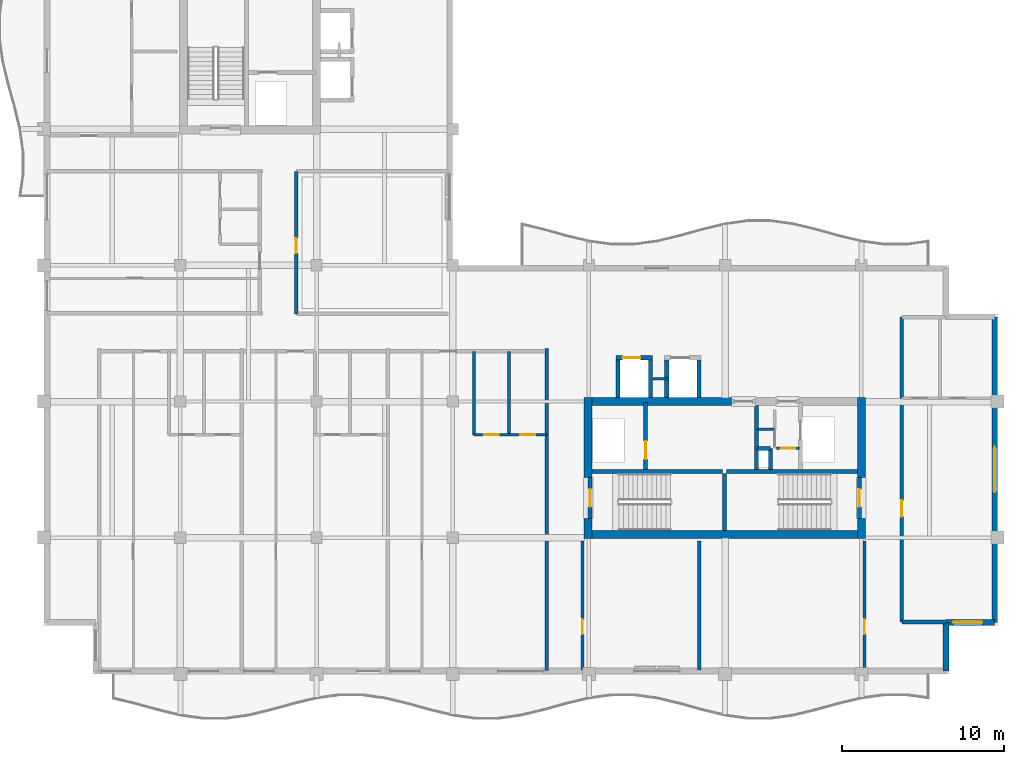
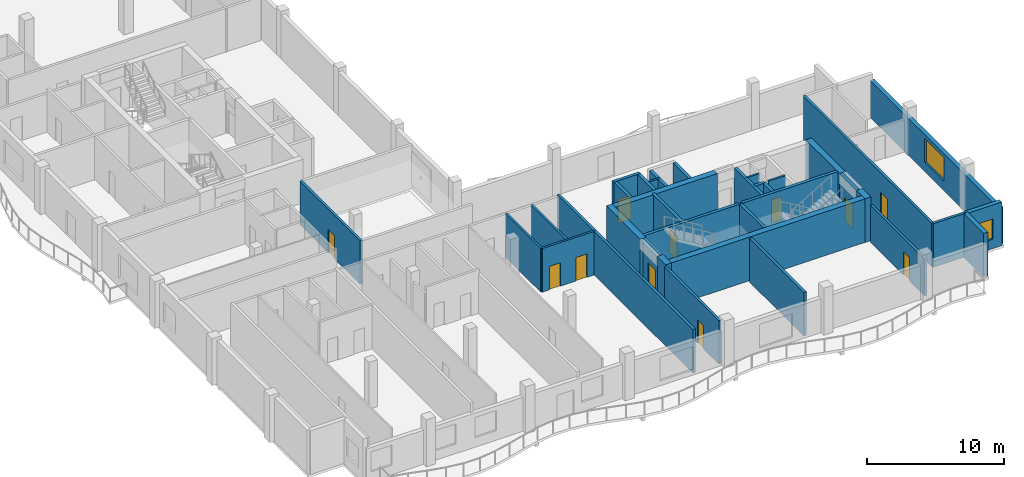
# One storey, part 4 of 11: 36 walls, 11 doors, 2 windows, 13 openings.
"""IFC4 building model written with IfcOpenShell, lengths in metres."""

import ifcopenshell
import ifcopenshell.guid

model = None  # the IFC model being written
_history = None  # IfcOwnerHistory: only IFC2X3 demands one
_inside = {}  # id of a spatial element -> (the spatial element, [elements in it])
_under = {}  # id of a project, library or spatial element -> (it, [spatial elements below it])
_declared = {}  # id of a project -> (the project, [libraries it declares])
_typed = {}  # id of a type object -> (the type object, [elements of that type])
_made_of = {}  # id of a material, layer set ... -> (it, [elements and type objects made of it])


def new_model(schema):
    """Start an empty IFC model of exactly this schema.

    Asked for "IFC4X3", IfcOpenShell would pick the latest addendum, in which some entities
    have other attributes; the version numbers below select the first issue.
    IFC2X3 requires an IfcOwnerHistory on every rooted entity: one is made here for all.
    """
    global model, _history
    if schema == "IFC4X3":
        model = ifcopenshell.file(schema_version=(4, 3, 0, 0))
    else:
        model = ifcopenshell.file(schema=schema)
    _inside.clear()
    _under.clear()
    _declared.clear()
    _typed.clear()
    _made_of.clear()
    _history = None
    if model.schema == "IFC2X3":
        org = make("IfcOrganization", Name="unknown")
        user = make(
            "IfcPersonAndOrganization",
            ThePerson=make("IfcPerson", FamilyName="unknown"),
            TheOrganization=org,
        )
        app = make(
            "IfcApplication",
            ApplicationDeveloper=org,
            Version="unknown",
            ApplicationFullName="unknown",
            ApplicationIdentifier="unknown",
        )
        _history = make(
            "IfcOwnerHistory",
            OwningUser=user,
            OwningApplication=app,
            ChangeAction="ADDED",
            CreationDate=0,
        )
    return model


def make(cls, **values):
    """One entity of the class cls with the attributes given. An attribute that is None is left unset."""
    return model.create_entity(
        cls, **{name: value for name, value in values.items() if value is not None}
    )


def rooted(cls, **values):
    """An entity with a GlobalId (a new one), such as an element, a storey or a relation."""
    return make(cls, GlobalId=ifcopenshell.guid.new(), OwnerHistory=_history, **values)


def si_unit(unit_type, name, prefix=None):
    """IfcSIUnit, for example si_unit("LENGTHUNIT", "METRE", prefix="MILLI")."""
    return make("IfcSIUnit", UnitType=unit_type, Prefix=prefix, Name=name)


def assignment(units):
    """IfcUnitAssignment: the units of a project."""
    return None if units is None else make("IfcUnitAssignment", Units=units)


def point(xyz):
    """IfcCartesianPoint."""
    return None if xyz is None else make("IfcCartesianPoint", Coordinates=xyz)


def direction(xyz):
    """IfcDirection."""
    return None if xyz is None else make("IfcDirection", DirectionRatios=xyz)


def frame(location, z_axis=None, x_axis=None):
    """IfcAxis2Placement3D, a coordinate frame: its origin and axes. An axis left out is left unset."""
    return make(
        "IfcAxis2Placement3D",
        Location=point(location),
        Axis=direction(z_axis),
        RefDirection=direction(x_axis),
    )


def frame_2d(location, x_axis=None):
    """IfcAxis2Placement2D, a coordinate frame in the plane: its origin and x axis."""
    return make(
        "IfcAxis2Placement2D", Location=point(location), RefDirection=direction(x_axis)
    )


def origin():
    """The frame at (0, 0, 0) with its axes left unset."""
    return frame((0.0, 0.0, 0.0))


def place(relative_to, where):
    """IfcLocalPlacement: puts the frame where relative to a parent placement (None: the world)."""
    return make(
        "IfcLocalPlacement", PlacementRelTo=relative_to, RelativePlacement=where
    )


def context(
    kind, dimensions, precision=None, world=None, true_north=None, identifier=None
):
    """IfcGeometricRepresentationContext, for example the 3D "Model" context."""
    return make(
        "IfcGeometricRepresentationContext",
        ContextIdentifier=identifier,
        ContextType=kind,
        CoordinateSpaceDimension=dimensions,
        Precision=precision,
        WorldCoordinateSystem=world,
        TrueNorth=true_north,
    )


def subcontext(parent, identifier, kind, view, scale=None):
    """IfcGeometricRepresentationSubContext, for example "Body" below "Model"."""
    return make(
        "IfcGeometricRepresentationSubContext",
        ContextIdentifier=identifier,
        ContextType=kind,
        ParentContext=parent,
        TargetScale=scale,
        TargetView=view,
    )


def project(units=None, contexts=None):
    """IfcProject with its units and contexts."""
    return rooted(
        "IfcProject",
        Name="project",
        RepresentationContexts=contexts,
        UnitsInContext=assignment(units),
    )


def spatial(cls, under=None, at=None, **own):
    """A site, building, storey or space (cls), placed at a placement, below another one or the project."""
    s = rooted(cls, ObjectPlacement=at, **own)
    if under is not None:
        _under.setdefault(under.id(), (under, []))[1].append(s)
    return s


def profile(cls, at=None, kind="AREA", **sizes):
    """A parametric profile (cls). Its sizes go by their IFC names, for example OverallWidth=200.0."""
    return make(cls, ProfileType=kind, Position=at, **sizes)


def rectangle(**sizes):
    """IfcRectangleProfileDef."""
    return profile("IfcRectangleProfileDef", **sizes)


def extrude(swept, where, along, depth):
    """IfcExtrudedAreaSolid: the profile swept, set in the frame where, extruded along a direction by depth."""
    return make(
        "IfcExtrudedAreaSolid",
        SweptArea=swept,
        Position=where,
        ExtrudedDirection=direction(along),
        Depth=depth,
    )


def shape(context_of_items, identifier, shape_type, items):
    """IfcShapeRepresentation: the items that make up one representation, for example the "Body"."""
    return make(
        "IfcShapeRepresentation",
        ContextOfItems=context_of_items,
        RepresentationIdentifier=identifier,
        RepresentationType=shape_type,
        Items=items,
    )


def material(Name=None, Category=None):
    """IfcMaterial."""
    return make("IfcMaterial", Name=Name, Category=Category)


def layer(
    of_material, thickness, ventilated=None, Name=None, Category=None, Priority=None
):
    """IfcMaterialLayer: one layer of a wall or slab, of a material (None: an air gap)."""
    return make(
        "IfcMaterialLayer",
        Material=of_material,
        LayerThickness=thickness,
        IsVentilated=ventilated,
        Name=Name,
        Category=Category,
        Priority=Priority,
    )


def layer_set(layers, Name=None):
    """IfcMaterialLayerSet."""
    return make("IfcMaterialLayerSet", MaterialLayers=layers, LayerSetName=Name)


def made_of(thing, what):
    """Note that an element or type object is made of a material, layer set ...; save() writes the relation."""
    if what is not None:
        _made_of.setdefault(what.id(), (what, []))[1].append(thing)
    return thing


def type_object(cls, material=None, **own):
    """A type object (cls), such as IfcWallType, which elements share."""
    return made_of(rooted(cls, **own), material)


def element(
    cls,
    number,
    at=None,
    inside=None,
    cuts=None,
    type_object=None,
    material=None,
    context=None,
    identifier="Body",
    shape_type=None,
    held_by="IfcProductDefinitionShape",
    body=None,
    shapes=None,
    **own,
):
    """One element of the class cls, such as IfcWall. Its Tag is "e" and its number.

    at: its placement. inside: the storey or other place that contains it. cuts: it is an
    opening in that element (IfcRelVoidsElement). A single representation is given by context,
    identifier, shape_type and body (its items); several are given by shapes. held_by: the class
    of the entity that holds the representations. save() writes the other relations.
    """
    e = rooted(cls, Tag="e%d" % number, ObjectPlacement=at, **own)
    if body is not None:
        shapes = [shape(context, identifier, shape_type, body)]
    if shapes is not None:
        e.Representation = make(held_by, Representations=shapes)
    if inside is not None:
        _inside.setdefault(inside.id(), (inside, []))[1].append(e)
    if cuts is not None:
        rooted(
            "IfcRelVoidsElement", RelatingBuildingElement=cuts, RelatedOpeningElement=e
        )
    if type_object is not None:
        _typed.setdefault(type_object.id(), (type_object, []))[1].append(e)
    return made_of(e, material)


def fill(opening, filler):
    """IfcRelFillsElement: the door or window that sits in an opening."""
    return rooted(
        "IfcRelFillsElement",
        RelatingOpeningElement=opening,
        RelatedBuildingElement=filler,
    )


def aggregate(whole, parts):
    """IfcRelAggregates: a whole, such as a stair, and the parts it consists of."""
    return rooted("IfcRelAggregates", RelatingObject=whole, RelatedObjects=parts)


def save(model, path):
    """Write the relations noted so far, then the file.

    IfcRelAggregates (storeys below a building ...), IfcRelContainedInSpatialStructure (elements
    in a storey), IfcRelDefinesByType, IfcRelAssociatesMaterial and IfcRelDeclares: one each for
    every whole, place, type object, material and project.
    """
    for whole, parts in _under.values():
        aggregate(whole, parts)
    for where, things in _inside.values():
        rooted(
            "IfcRelContainedInSpatialStructure",
            RelatedElements=things,
            RelatingStructure=where,
        )
    for kind, things in _typed.values():
        rooted("IfcRelDefinesByType", RelatedObjects=things, RelatingType=kind)
    for what, things in _made_of.values():
        rooted("IfcRelAssociatesMaterial", RelatedObjects=things, RelatingMaterial=what)
    for by, libraries in _declared.values():
        rooted("IfcRelDeclares", RelatingContext=by, RelatedDefinitions=libraries)
    model.write(path)


model = new_model("IFC4")

# Units and contexts
model_context = context("Model", 3, precision=1e-05, world=origin(), true_north=direction((0.0, 1.0)))
body_context = subcontext(model_context, "Body", "Model", "MODEL_VIEW")
ifc_project = project(units=[si_unit("LENGTHUNIT", "METRE"), si_unit("AREAUNIT", "SQUARE_METRE"), si_unit("VOLUMEUNIT", "CUBIC_METRE"), si_unit("PLANEANGLEUNIT", "RADIAN"), si_unit("MASSUNIT", "GRAM", prefix="KILO")], contexts=[model_context])

# Site, building, storey
site_placement = place(None, origin())
site = spatial("IfcSite", under=ifc_project, at=site_placement, CompositionType="ELEMENT")
building_placement = place(site_placement, origin())
building = spatial("IfcBuilding", under=site, at=building_placement, Name="Koriwani Terraces Tower", CompositionType="ELEMENT")
storey_placement = place(building_placement, frame((0.0, 0.0, 359.60009765625)))
storey = spatial("IfcBuildingStorey", under=building, at=storey_placement, Name="L89", CompositionType="ELEMENT", Elevation=359.60009765625)

# Walls
ifc_material_1 = material(Name="Concrete C50/60", Category="concrete")
ifc_layer_1 = layer(ifc_material_1, 0.5, Name="Concrete C50/60")
ifc_layer_set_1 = layer_set([ifc_layer_1], Name="Concrete C50/60")
wall_type_1 = type_object("IfcWallType", Name="WALL_CORE_RC_500", PredefinedType="SHEAR", material=ifc_layer_set_1)
wall_1_placement = place(storey_placement, frame((41.949951171875, 16.75, 0.0), z_axis=(0.0, 0.0, 1.0), x_axis=(0.0, 1.0, 0.0)))
element("IfcWall", 1, at=wall_1_placement, inside=storey, type_object=wall_type_1, Name="L89 East Split Core Shear Wall W1", PredefinedType="SHEAR", context=body_context, shape_type="SweptSolid", body=[
    extrude(rectangle(XDim=1.25, YDim=0.5, at=frame_2d((0.625, 0.0))), origin(), (0.0, 0.0, 1.0), 3.89990234375),
])
wall_2_placement = place(storey_placement, frame((41.949951171875, 20.5, 0.0), z_axis=(0.0, 0.0, 1.0), x_axis=(0.0, 1.0, 0.0)))
element("IfcWall", 2, at=wall_2_placement, inside=storey, type_object=wall_type_1, Name="L89 East Split Core Shear Wall W2", PredefinedType="SHEAR", context=body_context, shape_type="SweptSolid", body=[
    extrude(rectangle(XDim=4.949951171875, YDim=0.5, at=frame_2d((2.47509765625, 0.0))), origin(), (0.0, 0.0, 1.0), 3.89990234375),
])
wall_3_placement = place(storey_placement, frame((58.800048828125, 16.75, 0.0), z_axis=(0.0, 0.0, 1.0), x_axis=(0.0, 1.0, 0.0)))
element("IfcWall", 3, at=wall_3_placement, inside=storey, type_object=wall_type_1, Name="L89 East Split Core Shear Wall E1", PredefinedType="SHEAR", context=body_context, shape_type="SweptSolid", body=[
    extrude(rectangle(XDim=1.25, YDim=0.5, at=frame_2d((0.625, 0.0))), origin(), (0.0, 0.0, 1.0), 3.89990234375),
])
wall_4_placement = place(storey_placement, frame((58.800048828125, 20.5, 0.0), z_axis=(0.0, 0.0, 1.0), x_axis=(0.0, 1.0, 0.0)))
element("IfcWall", 4, at=wall_4_placement, inside=storey, type_object=wall_type_1, Name="L89 East Split Core Shear Wall E2", PredefinedType="SHEAR", context=body_context, shape_type="SweptSolid", body=[
    extrude(rectangle(XDim=4.949951171875, YDim=0.5, at=frame_2d((2.47509765625, 0.0))), origin(), (0.0, 0.0, 1.0), 3.89990234375),
])
wall_5_placement = place(storey_placement, frame((42.199951171875, 17.0, 0.0), z_axis=(0.0, 0.0, 1.0), x_axis=(1.0, 0.0, 0.0)))
element("IfcWall", 5, at=wall_5_placement, inside=storey, type_object=wall_type_1, Name="L89 East Split Core Shear Wall S1", PredefinedType="SHEAR", context=body_context, shape_type="SweptSolid", body=[
    extrude(rectangle(XDim=16.35009765625, YDim=0.5, at=frame_2d((8.175048828125, 0.0))), origin(), (0.0, 0.0, 1.0), 3.89990234375),
])
wall_6_placement = place(storey_placement, frame((42.199951171875, 25.199951171875, 0.0), z_axis=(0.0, 0.0, 1.0), x_axis=(1.0, 0.0, 0.0)))
element("IfcWall", 6, at=wall_6_placement, inside=storey, type_object=wall_type_1, Name="L89 East Split Core Shear Wall N1", PredefinedType="SHEAR", context=body_context, shape_type="SweptSolid", body=[
    extrude(rectangle(XDim=8.60009765625, YDim=0.5, at=frame_2d((4.300048828125, 0.0))), origin(), (0.0, 0.0, 1.0), 3.89990234375),
])

# Wall, opening, door
ifc_material_2 = material(Name="Autoclaved Cellular Concrete Blockwork", Category="masonry")
ifc_layer_2 = layer(ifc_material_2, 0.199951171875, Name="Autoclaved Cellular Concrete Blockwork")
ifc_layer_set_2 = layer_set([ifc_layer_2], Name="Autoclaved Cellular Concrete Blockwork")
wall_type_2 = type_object("IfcWallType", Name="WALL_CORRIDOR_200", PredefinedType="PARTITIONING", material=ifc_layer_set_2)
wall_7_placement = place(storey_placement, frame((23.949951171875, 30.60009765625, 0.0), z_axis=(0.0, 0.0, 1.0), x_axis=(0.0, 1.0, 0.0)))
wall_7 = element("IfcWall", 7, at=wall_7_placement, inside=storey, type_object=wall_type_2, Name="L89 Interior Wall WIC4W-L89", PredefinedType="PARTITIONING", context=body_context, shape_type="SweptSolid", body=[
    extrude(rectangle(XDim=8.7998046875, YDim=0.199951171875, at=frame_2d((4.39990234375, 0.0))), origin(), (0.0, 0.0, 1.0), 3.89990234375),
])
opening_1_placement = place(wall_7_placement, frame((3.75, 0.0, 0.0)))
opening_1 = element("IfcOpeningElement", 8, at=opening_1_placement, cuts=wall_7, Name="Opening D-06", PredefinedType="OPENING", context=body_context, shape_type="SweptSolid", body=[
    extrude(rectangle(XDim=0.919921875, YDim=2.10009765625, at=frame_2d((0.4599609375, 1.050048828125))), frame((0.0, 0.10986328125, 0.0), z_axis=(0.0, -1.0, 0.0), x_axis=(1.0, 0.0, 0.0)), (0.0, 0.0, 1.0), 0.219970703125),
])
ifc_material_3 = material(Name="Architectural Oak Fire Door", Category="wood")
door_type_1 = type_object("IfcDoorType", Name="DOOR_ROOM_INT_920X2100", OperationType="NOTDEFINED", PredefinedType="DOOR", material=ifc_material_3)
door_1_placement = place(opening_1_placement, origin())
door_1 = element("IfcDoor", 9, at=door_1_placement, inside=storey, type_object=door_type_1, Name="L89 High-Rise Court Study Door", OperationType="SINGLE_SWING_LEFT", OverallHeight=2.10009765625, OverallWidth=0.919921875, PredefinedType="DOOR", context=body_context, shape_type="SweptSolid", body=[
    extrude(rectangle(XDim=0.919921875, YDim=2.10009765625, at=frame_2d((0.4599609375, 1.050048828125))), frame((0.0, 0.02490234375, 0.0), z_axis=(0.0, -1.0, 0.0), x_axis=(1.0, 0.0, 0.0)), (0.0, 0.0, 1.0), 0.050048828125),
])
fill(opening_1, door_1)

wall_8_placement = place(storey_placement, frame((41.60009765625, 8.64990234375, 0.0), z_axis=(0.0, 0.0, 1.0), x_axis=(0.0, 1.0, 0.0)))
wall_8 = element("IfcWall", 10, at=wall_8_placement, inside=storey, type_object=wall_type_2, Name="L89 Interior Wall WRZ4-EW-L89", PredefinedType="PARTITIONING", context=body_context, shape_type="SweptSolid", body=[
    extrude(rectangle(XDim=7.9501953125, YDim=0.199951171875, at=frame_2d((3.97509765625, 0.0))), origin(), (0.0, 0.0, 1.0), 3.89990234375),
])
opening_2_placement = place(wall_8_placement, frame((2.199951171875, 0.0, 0.0)))
opening_2 = element("IfcOpeningElement", 11, at=opening_2_placement, cuts=wall_8, Name="Opening D-06", PredefinedType="OPENING", context=body_context, shape_type="SweptSolid", body=[
    extrude(rectangle(XDim=0.919921875, YDim=2.10009765625, at=frame_2d((0.4599609375, 1.050048828125))), frame((0.0, 0.10986328125, 0.0), z_axis=(0.0, -1.0, 0.0), x_axis=(1.0, 0.0, 0.0)), (0.0, 0.0, 1.0), 0.219970703125),
])
door_2_placement = place(opening_2_placement, origin())
door_2 = element("IfcDoor", 12, at=door_2_placement, inside=storey, type_object=door_type_1, Name="L89 Resident Library Study Door", OperationType="SINGLE_SWING_RIGHT", OverallHeight=2.10009765625, OverallWidth=0.919921875, PredefinedType="DOOR", context=body_context, shape_type="SweptSolid", body=[
    extrude(rectangle(XDim=0.919921875, YDim=2.10009765625, at=frame_2d((0.4599609375, 1.050048828125))), frame((0.0, 0.02490234375, 0.0), z_axis=(0.0, -1.0, 0.0), x_axis=(1.0, 0.0, 0.0)), (0.0, 0.0, 1.0), 0.050048828125),
])
fill(opening_2, door_2)

wall_9_placement = place(storey_placement, frame((59.0, 8.64990234375, 0.0), z_axis=(0.0, 0.0, 1.0), x_axis=(0.0, 1.0, 0.0)))
wall_9 = element("IfcWall", 13, at=wall_9_placement, inside=storey, type_object=wall_type_2, Name="L89 Interior Wall WRZ4-EE-L89", PredefinedType="PARTITIONING", context=body_context, shape_type="SweptSolid", body=[
    extrude(rectangle(XDim=7.9501953125, YDim=0.199951171875, at=frame_2d((3.97509765625, 0.0))), origin(), (0.0, 0.0, 1.0), 3.2998046875),
])
opening_3_placement = place(wall_9_placement, frame((2.199951171875, 0.0, 0.0)))
opening_3 = element("IfcOpeningElement", 14, at=opening_3_placement, cuts=wall_9, Name="Opening D-06", PredefinedType="OPENING", context=body_context, shape_type="SweptSolid", body=[
    extrude(rectangle(XDim=0.919921875, YDim=2.10009765625, at=frame_2d((0.4599609375, 1.050048828125))), frame((0.0, 0.10986328125, 0.0), z_axis=(0.0, -1.0, 0.0), x_axis=(1.0, 0.0, 0.0)), (0.0, 0.0, 1.0), 0.219970703125),
])
door_3_placement = place(opening_3_placement, origin())
door_3 = element("IfcDoor", 15, at=door_3_placement, inside=storey, type_object=door_type_1, Name="L89 Resident Laundry Room Door", OperationType="SINGLE_SWING_LEFT", OverallHeight=2.10009765625, OverallWidth=0.919921875, PredefinedType="DOOR", context=body_context, shape_type="SweptSolid", body=[
    extrude(rectangle(XDim=0.919921875, YDim=2.10009765625, at=frame_2d((0.4599609375, 1.050048828125))), frame((0.0, 0.02490234375, 0.0), z_axis=(0.0, -1.0, 0.0), x_axis=(1.0, 0.0, 0.0)), (0.0, 0.0, 1.0), 0.050048828125),
])
fill(opening_3, door_3)

wall_10_placement = place(storey_placement, frame((61.300048828125, 11.60009765625, 0.0), z_axis=(0.0, 0.0, 1.0), x_axis=(0.0, 1.0, 0.0)))
wall_10 = element("IfcWall", 16, at=wall_10_placement, inside=storey, type_object=wall_type_2, Name="L89 Interior Wall WET-W-L89", PredefinedType="PARTITIONING", context=body_context, shape_type="SweptSolid", body=[
    extrude(rectangle(XDim=18.7998046875, YDim=0.199951171875, at=frame_2d((9.39990234375, 0.0))), origin(), (0.0, 0.0, 1.0), 3.89990234375),
])
opening_4_placement = place(wall_10_placement, frame((6.5, 0.0, 0.0)))
opening_4 = element("IfcOpeningElement", 17, at=opening_4_placement, cuts=wall_10, Name="Opening D-05", PredefinedType="OPENING", context=body_context, shape_type="SweptSolid", body=[
    extrude(rectangle(XDim=1.0, YDim=2.14990234375, at=frame_2d((0.5, 1.074951171875))), frame((0.0, 0.10986328125, 0.0), z_axis=(0.0, -1.0, 0.0), x_axis=(1.0, 0.0, 0.0)), (0.0, 0.0, 1.0), 0.219970703125),
])
door_type_2 = type_object("IfcDoorType", Name="DOOR_SUITE_ENTRY_1000X2150", OperationType="NOTDEFINED", PredefinedType="DOOR", material=ifc_material_3)
door_4_placement = place(opening_4_placement, origin())
door_4 = element("IfcDoor", 18, at=door_4_placement, inside=storey, type_object=door_type_2, Name="Penthouse 89ET Entrance Door", OperationType="SINGLE_SWING_RIGHT", OverallHeight=2.14990234375, OverallWidth=1.0, PredefinedType="DOOR", context=body_context, shape_type="SweptSolid", body=[
    extrude(rectangle(XDim=1.0, YDim=2.14990234375, at=frame_2d((0.5, 1.074951171875))), frame((0.0, 0.02490234375, 0.0), z_axis=(0.0, -1.0, 0.0), x_axis=(1.0, 0.0, 0.0)), (0.0, 0.0, 1.0), 0.050048828125),
])
fill(opening_4, door_4)

# Walls
ifc_layer_3 = layer(ifc_material_2, 0.219970703125, Name="Autoclaved Cellular Concrete Blockwork")
ifc_layer_set_3 = layer_set([ifc_layer_3], Name="Autoclaved Cellular Concrete Blockwork")
wall_type_3 = type_object("IfcWallType", Name="WALL_DEMISING_220", PredefinedType="PARTITIONING", material=ifc_layer_set_3)
wall_11_placement = place(storey_placement, frame((48.800048828125, 8.64990234375, 0.0), z_axis=(0.0, 0.0, 1.0), x_axis=(0.0, 1.0, 0.0)))
element("IfcWall", 19, at=wall_11_placement, inside=storey, type_object=wall_type_3, Name="L89 Interior Wall WRZ4-EM-L89", PredefinedType="PARTITIONING", context=body_context, shape_type="SweptSolid", body=[
    extrude(rectangle(XDim=7.9501953125, YDim=0.219970703125, at=frame_2d((3.97509765625, 0.0))), origin(), (0.0, 0.0, 1.0), 3.89990234375),
])
wall_12_placement = place(storey_placement, frame((39.39990234375, 8.60009765625, 0.0), z_axis=(0.0, 0.0, 1.0), x_axis=(0.0, 1.0, 0.0)))
element("IfcWall", 20, at=wall_12_placement, inside=storey, type_object=wall_type_3, Name="L89 Interior Wall WRDEME-L89-SW", PredefinedType="PARTITIONING", context=body_context, shape_type="SweptSolid", body=[
    extrude(rectangle(XDim=19.8798828125, YDim=0.219970703125, at=frame_2d((9.93994140625, 0.0))), origin(), (0.0, 0.0, 1.0), 3.89990234375),
])
wall_13_placement = place(storey_placement, frame((61.300048828125, 11.60009765625, 0.0), z_axis=(0.0, 0.0, 1.0), x_axis=(1.0, 0.0, 0.0)))
element("IfcWall", 21, at=wall_13_placement, inside=storey, type_object=wall_type_3, Name="L89 Interior Wall WET-S-L89", PredefinedType="PARTITIONING", context=body_context, shape_type="SweptSolid", body=[
    extrude(rectangle(XDim=2.699951171875, YDim=0.219970703125, at=frame_2d((1.35009765625, 0.0))), origin(), (0.0, 0.0, 1.0), 3.89990234375),
])

# Wall, opening, window
ifc_layer_4 = layer(ifc_material_1, 0.35009765625, Name="Concrete C50/60")
ifc_layer_set_4 = layer_set([ifc_layer_4], Name="Concrete C50/60")
wall_type_4 = type_object("IfcWallType", Name="WALL_EXT_BRUTALIST_350", PredefinedType="STANDARD", material=ifc_layer_set_4)
wall_14_placement = place(storey_placement, frame((67.02490234375, 30.425048828125, 0.0), z_axis=(0.0, 0.0, 1.0), x_axis=(0.0, -1.0, 0.0)))
wall_14 = element("IfcWall", 22, at=wall_14_placement, inside=storey, type_object=wall_type_4, Name="L89 Fair-Faced Brutalist Exterior Wall (E_TIP)", PredefinedType="STANDARD", context=body_context, shape_type="SweptSolid", body=[
    extrude(rectangle(XDim=18.85009765625, YDim=0.35009765625, at=frame_2d((9.425048828125, 0.0))), origin(), (0.0, 0.0, 1.0), 3.2998046875),
])
opening_5_placement = place(wall_14_placement, frame((8.02490234375, 0.0, 0.85009765625)))
opening_5 = element("IfcOpeningElement", 23, at=opening_5_placement, cuts=wall_14, Name="Opening W-05", PredefinedType="OPENING", context=body_context, shape_type="SweptSolid", body=[
    extrude(rectangle(XDim=2.800048828125, YDim=2.10009765625, at=frame_2d((1.39990234375, 1.050048828125))), frame((0.0, 0.18505859375, 0.0), z_axis=(0.0, -1.0, 0.0), x_axis=(1.0, 0.0, 0.0)), (0.0, 0.0, 1.0), 0.3701171875),
])
ifc_material_4 = material(Name="Tempered Laminated Low-E Glass", Category="glass")
window_type_1 = type_object("IfcWindowType", Name="WIN_PENTHOUSE_2800X2100", PartitioningType="TRIPLE_PANEL_VERTICAL", PredefinedType="WINDOW", material=ifc_material_4)
window_1_placement = place(opening_5_placement, origin())
window_1 = element("IfcWindow", 24, at=window_1_placement, inside=storey, type_object=window_type_1, Name="L89 Exterior Window (E_TIP-3)", OverallHeight=2.10009765625, OverallWidth=2.800048828125, PartitioningType="SINGLE_PANEL", PredefinedType="WINDOW", context=body_context, shape_type="SweptSolid", body=[
    extrude(rectangle(XDim=2.800048828125, YDim=2.10009765625, at=frame_2d((1.39990234375, 1.050048828125))), frame((0.0, 0.030029296875, 0.0), z_axis=(0.0, -1.0, 0.0), x_axis=(1.0, 0.0, 0.0)), (0.0, 0.0, 1.0), 0.06005859375),
])
fill(opening_5, window_1)

wall_15_placement = place(storey_placement, frame((67.02490234375, 11.574951171875, 0.0), z_axis=(0.0, 0.0, 1.0), x_axis=(-1.0, 0.0, 0.0)))
wall_15 = element("IfcWall", 25, at=wall_15_placement, inside=storey, type_object=wall_type_4, Name="L89 Fair-Faced Brutalist Exterior Wall (N13)", PredefinedType="STANDARD", context=body_context, shape_type="SweptSolid", body=[
    extrude(rectangle(XDim=3.0, YDim=0.35009765625, at=frame_2d((1.5, 0.0))), origin(), (0.0, 0.0, 1.0), 3.89990234375),
])
opening_6_placement = place(wall_15_placement, frame((0.762451171875, 0.0, 0.85009765625)))
opening_6 = element("IfcOpeningElement", 26, at=opening_6_placement, cuts=wall_15, Name="Opening W-04", PredefinedType="OPENING", context=body_context, shape_type="SweptSolid", body=[
    extrude(rectangle(XDim=1.800048828125, YDim=1.800048828125, at=frame_2d((0.89990234375, 0.89990234375))), frame((0.0, 0.18505859375, 0.0), z_axis=(0.0, -1.0, 0.0), x_axis=(1.0, 0.0, 0.0)), (0.0, 0.0, 1.0), 0.3701171875),
])
window_type_2 = type_object("IfcWindowType", Name="WIN_RES_BED_1800X1800", PartitioningType="DOUBLE_PANEL_VERTICAL", PredefinedType="WINDOW", material=ifc_material_4)
window_2_placement = place(opening_6_placement, origin())
window_2 = element("IfcWindow", 27, at=window_2_placement, inside=storey, type_object=window_type_2, Name="L89 Exterior Window (N13-R53)", OverallHeight=1.800048828125, OverallWidth=1.800048828125, PartitioningType="SINGLE_PANEL", PredefinedType="WINDOW", context=body_context, shape_type="SweptSolid", body=[
    extrude(rectangle(XDim=1.800048828125, YDim=1.800048828125, at=frame_2d((0.89990234375, 0.89990234375))), frame((0.0, 0.030029296875, 0.0), z_axis=(0.0, -1.0, 0.0), x_axis=(1.0, 0.0, 0.0)), (0.0, 0.0, 1.0), 0.06005859375),
])
fill(opening_6, window_2)

# Wall
wall_16_placement = place(storey_placement, frame((64.02490234375, 11.574951171875, 0.0), z_axis=(0.0, 0.0, 1.0), x_axis=(0.0, -1.0, 0.0)))
element("IfcWall", 28, at=wall_16_placement, inside=storey, type_object=wall_type_4, Name="L89 Fair-Faced Brutalist Exterior Wall (N14)", PredefinedType="STANDARD", context=body_context, shape_type="SweptSolid", body=[
    extrude(rectangle(XDim=3.0, YDim=0.35009765625, at=frame_2d((1.5, 0.0))), origin(), (0.0, 0.0, 1.0), 3.89990234375),
])

# Wall, openings, doors
ifc_material_5 = material(Name="Fire-Rated Acoustic Gypsum Partition", Category="masonry")
ifc_layer_5 = layer(ifc_material_5, 0.179931640625, Name="Fire-Rated Acoustic Gypsum Partition")
ifc_layer_set_5 = layer_set([ifc_layer_5], Name="Fire-Rated Acoustic Gypsum Partition")
wall_type_5 = type_object("IfcWallType", Name="WALL_PLUMBING_180", PredefinedType="PLUMBINGWALL", material=ifc_layer_set_5)
wall_17_placement = place(storey_placement, frame((34.89990234375, 23.14990234375, 0.0), z_axis=(0.0, 0.0, 1.0), x_axis=(1.0, 0.0, 0.0)))
wall_17 = element("IfcWall", 29, at=wall_17_placement, inside=storey, type_object=wall_type_5, Name="L89 Interior Wall WRSVC-L89-SW-2", PredefinedType="PLUMBINGWALL", context=body_context, shape_type="SweptSolid", body=[
    extrude(rectangle(XDim=4.5, YDim=0.179931640625, at=frame_2d((2.25, 0.0))), origin(), (0.0, 0.0, 1.0), 3.89990234375),
])
opening_7_placement = place(wall_17_placement, frame((0.6298828125, 0.0, 0.0)))
opening_7 = element("IfcOpeningElement", 30, at=opening_7_placement, cuts=wall_17, Name="Opening D-07", PredefinedType="OPENING", context=body_context, shape_type="SweptSolid", body=[
    extrude(rectangle(XDim=0.89990234375, YDim=2.10009765625, at=frame_2d((0.449951171875, 1.050048828125))), frame((0.0, 0.10009765625, 0.0), z_axis=(0.0, -1.0, 0.0), x_axis=(1.0, 0.0, 0.0)), (0.0, 0.0, 1.0), 0.199951171875),
])
opening_8_placement = place(wall_17_placement, frame((2.8701171875, 0.0, 0.0)))
opening_8 = element("IfcOpeningElement", 31, at=opening_8_placement, cuts=wall_17, Name="Opening D-06", PredefinedType="OPENING", context=body_context, shape_type="SweptSolid", body=[
    extrude(rectangle(XDim=0.919921875, YDim=2.10009765625, at=frame_2d((0.4599609375, 1.050048828125))), frame((0.0, 0.10009765625, 0.0), z_axis=(0.0, -1.0, 0.0), x_axis=(1.0, 0.0, 0.0)), (0.0, 0.0, 1.0), 0.199951171875),
])
door_type_3 = type_object("IfcDoorType", Name="DOOR_BATH_INT_900X2100", OperationType="NOTDEFINED", PredefinedType="DOOR", material=ifc_material_3)
door_5_placement = place(opening_7_placement, origin())
door_5 = element("IfcDoor", 32, at=door_5_placement, inside=storey, type_object=door_type_3, Name="Penthouse 89SW3 Bathroom Door", OperationType="SINGLE_SWING_LEFT", OverallHeight=2.10009765625, OverallWidth=0.89990234375, PredefinedType="DOOR", context=body_context, shape_type="SweptSolid", body=[
    extrude(rectangle(XDim=0.89990234375, YDim=2.10009765625, at=frame_2d((0.449951171875, 1.050048828125))), frame((0.0, 0.02490234375, 0.0), z_axis=(0.0, -1.0, 0.0), x_axis=(1.0, 0.0, 0.0)), (0.0, 0.0, 1.0), 0.050048828125),
])
fill(opening_7, door_5)
door_6_placement = place(opening_8_placement, origin())
door_6 = element("IfcDoor", 33, at=door_6_placement, inside=storey, type_object=door_type_1, Name="Penthouse 89SW3 Kitchen Door", OperationType="SINGLE_SWING_RIGHT", OverallHeight=2.10009765625, OverallWidth=0.919921875, PredefinedType="DOOR", context=body_context, shape_type="SweptSolid", body=[
    extrude(rectangle(XDim=0.919921875, YDim=2.10009765625, at=frame_2d((0.4599609375, 1.050048828125))), frame((0.0, 0.02490234375, 0.0), z_axis=(0.0, -1.0, 0.0), x_axis=(1.0, 0.0, 0.0)), (0.0, 0.0, 1.0), 0.050048828125),
])
fill(opening_8, door_6)

# Walls
for number, where, z_axis, x_axis, name in (
    (34, (34.89990234375, 23.14990234375, 0.0), (0.0, 0.0, 1.0), (0.0, 1.0, 0.0), "L89 Interior Wall WRSVCS-L89-SW-2"),
    (35, (37.06005859375, 23.14990234375, 0.0), (0.0, 0.0, 1.0), (0.0, 1.0, 0.0), "L89 Interior Wall WRSVCM-L89-SW-2"),
):
    element("IfcWall", number, at=place(storey_placement, frame(where, z_axis=z_axis, x_axis=x_axis)), inside=storey, type_object=wall_type_5, Name=name, PredefinedType="PLUMBINGWALL", context=body_context, shape_type="SweptSolid", body=[
        extrude(rectangle(XDim=5.150146484375, YDim=0.179931640625, at=frame_2d((2.5751953125, 0.0))), origin(), (0.0, 0.0, 1.0), 3.89990234375),
    ])
ifc_material_6 = material(Name="Concrete C40/50", Category="concrete")
ifc_layer_6 = layer(ifc_material_6, 0.25, Name="Concrete C40/50")
ifc_layer_set_6 = layer_set([ifc_layer_6], Name="Concrete C40/50")
wall_type_6 = type_object("IfcWallType", Name="WALL_SHAFT_RATED_250", PredefinedType="SOLIDWALL", material=ifc_layer_set_6)
for number, where, z_axis, x_axis, name in (
    (36, (42.199951171875, 20.875, 0.0), (0.0, 0.0, 1.0), (1.0, 0.0, 0.0), "L89 East Split Core Web Wall MID1"),
    (37, (50.5, 20.875, 0.0), (0.0, 0.0, 1.0), (1.0, 0.0, 0.0), "L89 East Split Core Web Wall MID2"),
):
    element("IfcWall", number, at=place(storey_placement, frame(where, z_axis=z_axis, x_axis=x_axis)), inside=storey, type_object=wall_type_6, Name=name, PredefinedType="SOLIDWALL", context=body_context, shape_type="SweptSolid", body=[
        extrude(rectangle(XDim=8.050048828125, YDim=0.25, at=frame_2d((4.02490234375, 0.0))), origin(), (0.0, 0.0, 1.0), 3.89990234375),
    ])
wall_18_placement = place(storey_placement, frame((50.375, 17.25, 0.0), z_axis=(0.0, 0.0, 1.0), x_axis=(0.0, 1.0, 0.0)))
element("IfcWall", 38, at=wall_18_placement, inside=storey, type_object=wall_type_6, Name="L89 East Split Core Stair Dividing Wall", PredefinedType="SOLIDWALL", context=body_context, shape_type="SweptSolid", body=[
    extrude(rectangle(XDim=3.5, YDim=0.25, at=frame_2d((1.75, 0.0))), origin(), (0.0, 0.0, 1.0), 3.89990234375),
])

# Wall, opening, door
wall_19_placement = place(storey_placement, frame((42.074951171875, 18.0, 0.0), z_axis=(0.0, 0.0, 1.0), x_axis=(0.0, 1.0, 0.0)))
wall_19 = element("IfcWall", 39, at=wall_19_placement, inside=storey, type_object=wall_type_6, Name="L89 Interior Wall WIN-CE-L89-STW", PredefinedType="SOLIDWALL", context=body_context, shape_type="SweptSolid", body=[
    extrude(rectangle(XDim=2.5, YDim=0.25, at=frame_2d((1.25, 0.0))), origin(), (0.0, 0.0, 1.0), 3.89990234375),
])
opening_9_placement = place(wall_19_placement, frame((0.699951171875, 0.0, 0.0)))
opening_9 = element("IfcOpeningElement", 40, at=opening_9_placement, cuts=wall_19, Name="Opening D-03", PredefinedType="OPENING", context=body_context, shape_type="SweptSolid", body=[
    extrude(rectangle(XDim=1.10009765625, YDim=2.14990234375, at=frame_2d((0.550048828125, 1.074951171875))), frame((0.0, 0.135009765625, 0.0), z_axis=(0.0, -1.0, 0.0), x_axis=(1.0, 0.0, 0.0)), (0.0, 0.0, 1.0), 0.27001953125),
])
ifc_material_7 = material(Name="Steel ASTM A572 Grade 50", Category="steel")
door_type_4 = type_object("IfcDoorType", Name="DOOR_STAIR_FIRE_1100X2150", OperationType="NOTDEFINED", PredefinedType="DOOR", material=ifc_material_7)
door_7_placement = place(opening_9_placement, origin())
door_7 = element("IfcDoor", 41, at=door_7_placement, inside=storey, type_object=door_type_4, Name="L89 Exit Stair ST-E1 Door", OperationType="SINGLE_SWING_RIGHT", OverallHeight=2.14990234375, OverallWidth=1.10009765625, PredefinedType="DOOR", context=body_context, shape_type="SweptSolid", body=[
    extrude(rectangle(XDim=1.10009765625, YDim=2.14990234375, at=frame_2d((0.550048828125, 1.074951171875))), frame((0.0, 0.02490234375, 0.0), z_axis=(0.0, -1.0, 0.0), x_axis=(1.0, 0.0, 0.0)), (0.0, 0.0, 1.0), 0.050048828125),
])
fill(opening_9, door_7)

wall_20_placement = place(storey_placement, frame((58.675048828125, 18.0, 0.0), z_axis=(0.0, 0.0, 1.0), x_axis=(0.0, 1.0, 0.0)))
wall_20 = element("IfcWall", 42, at=wall_20_placement, inside=storey, type_object=wall_type_6, Name="L89 Interior Wall WIN-CE-L89-STE", PredefinedType="SOLIDWALL", context=body_context, shape_type="SweptSolid", body=[
    extrude(rectangle(XDim=2.5, YDim=0.25, at=frame_2d((1.25, 0.0))), origin(), (0.0, 0.0, 1.0), 3.89990234375),
])
opening_10_placement = place(wall_20_placement, frame((0.699951171875, 0.0, 0.0)))
opening_10 = element("IfcOpeningElement", 43, at=opening_10_placement, cuts=wall_20, Name="Opening D-03", PredefinedType="OPENING", context=body_context, shape_type="SweptSolid", body=[
    extrude(rectangle(XDim=1.10009765625, YDim=2.14990234375, at=frame_2d((0.550048828125, 1.074951171875))), frame((0.0, 0.135009765625, 0.0), z_axis=(0.0, -1.0, 0.0), x_axis=(1.0, 0.0, 0.0)), (0.0, 0.0, 1.0), 0.27001953125),
])
door_8_placement = place(opening_10_placement, origin())
door_8 = element("IfcDoor", 44, at=door_8_placement, inside=storey, type_object=door_type_4, Name="L89 Exit Stair ST-E2 Door", OperationType="SINGLE_SWING_LEFT", OverallHeight=2.14990234375, OverallWidth=1.10009765625, PredefinedType="DOOR", context=body_context, shape_type="SweptSolid", body=[
    extrude(rectangle(XDim=1.10009765625, YDim=2.14990234375, at=frame_2d((0.550048828125, 1.074951171875))), frame((0.0, 0.02490234375, 0.0), z_axis=(0.0, -1.0, 0.0), x_axis=(1.0, 0.0, 0.0)), (0.0, 0.0, 1.0), 0.050048828125),
])
fill(opening_10, door_8)

wall_21_placement = place(storey_placement, frame((45.5, 21.0, 0.0), z_axis=(0.0, 0.0, 1.0), x_axis=(0.0, 1.0, 0.0)))
wall_21 = element("IfcWall", 45, at=wall_21_placement, inside=storey, type_object=wall_type_6, Name="L89 Interior Wall WIN-CE-L89-FE", PredefinedType="SOLIDWALL", context=body_context, shape_type="SweptSolid", body=[
    extrude(rectangle(XDim=4.14990234375, YDim=0.25, at=frame_2d((2.074951171875, 0.0))), origin(), (0.0, 0.0, 1.0), 3.89990234375),
])
opening_11_placement = place(wall_21_placement, frame((0.64990234375, 0.0, 0.0)))
opening_11 = element("IfcOpeningElement", 46, at=opening_11_placement, cuts=wall_21, Name="Opening LD-01", PredefinedType="OPENING", context=body_context, shape_type="SweptSolid", body=[
    extrude(rectangle(XDim=1.10009765625, YDim=2.14990234375, at=frame_2d((0.550048828125, 1.074951171875))), frame((0.0, 0.135009765625, 0.0), z_axis=(0.0, -1.0, 0.0), x_axis=(1.0, 0.0, 0.0)), (0.0, 0.0, 1.0), 0.27001953125),
])
door_type_5 = type_object("IfcDoorType", Name="DOOR_LIFT_LANDING_1100X2200", OperationType="NOTDEFINED", PredefinedType="DOOR", material=ifc_material_7)
door_9_placement = place(opening_11_placement, origin())
door_9 = element("IfcDoor", 47, at=door_9_placement, inside=storey, type_object=door_type_5, Name="L89 Firefighting Lift FE-02 Landing Door", OperationType="SLIDING_TO_LEFT", OverallHeight=2.14990234375, OverallWidth=1.10009765625, PredefinedType="DOOR", context=body_context, shape_type="SweptSolid", body=[
    extrude(rectangle(XDim=1.10009765625, YDim=2.14990234375, at=frame_2d((0.550048828125, 1.074951171875))), frame((0.0, 0.02490234375, 0.0), z_axis=(0.0, -1.0, 0.0), x_axis=(1.0, 0.0, 0.0)), (0.0, 0.0, 1.0), 0.050048828125),
])
fill(opening_11, door_9)

# Walls
wall_22_placement = place(storey_placement, frame((52.340087890625, 21.0, 0.0), z_axis=(0.0, 0.0, 1.0), x_axis=(0.0, 1.0, 0.0)))
element("IfcWall", 48, at=wall_22_placement, inside=storey, type_object=wall_type_6, Name="L89 Interior Wall WIN-CE-L89-FFE", PredefinedType="SOLIDWALL", context=body_context, shape_type="SweptSolid", body=[
    extrude(rectangle(XDim=3.949951171875, YDim=0.25, at=frame_2d((1.97509765625, 0.0))), origin(), (0.0, 0.0, 1.0), 3.89990234375),
])
wall_23_placement = place(storey_placement, frame((53.199951171875, 21.0, 0.0), z_axis=(0.0, 0.0, 1.0), x_axis=(0.0, 1.0, 0.0)))
element("IfcWall", 49, at=wall_23_placement, inside=storey, type_object=wall_type_6, Name="L89 Interior Wall WIN-CE-L89-RS1", PredefinedType="SOLIDWALL", context=body_context, shape_type="SweptSolid", body=[
    extrude(rectangle(XDim=1.300048828125, YDim=0.25, at=frame_2d((0.64990234375, 0.0))), origin(), (0.0, 0.0, 1.0), 3.89990234375),
])
wall_24_placement = place(storey_placement, frame((52.360107421875, 22.300048828125, 0.0), z_axis=(0.0, 0.0, 1.0), x_axis=(1.0, 0.0, 0.0)))
element("IfcWall", 50, at=wall_24_placement, inside=storey, type_object=wall_type_6, Name="L89 Interior Wall WIN-CE-L89-RS2", PredefinedType="SOLIDWALL", context=body_context, shape_type="SweptSolid", body=[
    extrude(rectangle(XDim=0.83984375, YDim=0.25, at=frame_2d((0.419921875, 0.0))), origin(), (0.0, 0.0, 1.0), 3.89990234375),
])

# Wall, opening, door
wall_25_placement = place(storey_placement, frame((43.675048828125, 27.89990234375, 0.0), z_axis=(0.0, 0.0, 1.0), x_axis=(1.0, 0.0, 0.0)))
wall_25 = element("IfcWall", 51, at=wall_25_placement, inside=storey, type_object=wall_type_6, Name="L89 Interior Wall WIN-LF-PE-H3-L89-F", PredefinedType="SOLIDWALL", context=body_context, shape_type="SweptSolid", body=[
    extrude(rectangle(XDim=2.25, YDim=0.25, at=frame_2d((1.125, 0.0))), origin(), (0.0, 0.0, 1.0), 3.89990234375),
])
opening_12_placement = place(wall_25_placement, frame((0.39990234375, 0.0, 0.0)))
opening_12 = element("IfcOpeningElement", 52, at=opening_12_placement, cuts=wall_25, Name="Opening LD-01", PredefinedType="OPENING", context=body_context, shape_type="SweptSolid", body=[
    extrude(rectangle(XDim=1.10009765625, YDim=2.14990234375, at=frame_2d((0.550048828125, 1.074951171875))), frame((0.0, 0.135009765625, 0.0), z_axis=(0.0, -1.0, 0.0), x_axis=(1.0, 0.0, 0.0)), (0.0, 0.0, 1.0), 0.27001953125),
])
door_10_placement = place(opening_12_placement, origin())
door_10 = element("IfcDoor", 53, at=door_10_placement, inside=storey, type_object=door_type_5, Name="L89 Passenger Lift PE-H3 Landing Door", OperationType="SLIDING_TO_LEFT", OverallHeight=2.14990234375, OverallWidth=1.10009765625, PredefinedType="DOOR", context=body_context, shape_type="SweptSolid", body=[
    extrude(rectangle(XDim=1.10009765625, YDim=2.14990234375, at=frame_2d((0.550048828125, 1.074951171875))), frame((0.0, 0.02490234375, 0.0), z_axis=(0.0, -1.0, 0.0), x_axis=(1.0, 0.0, 0.0)), (0.0, 0.0, 1.0), 0.050048828125),
])
fill(opening_12, door_10)

# Walls
for number, where, z_axis, x_axis, name in (
    (54, (43.800048828125, 25.449951171875, 0.0), (0.0, 0.0, 1.0), (0.0, 1.0, 0.0), "L89 Interior Wall WIN-LF-PE-H3-L89-W"),
    (55, (45.800048828125, 25.449951171875, 0.0), (0.0, 0.0, 1.0), (0.0, 1.0, 0.0), "L89 Interior Wall WIN-LF-PE-H3-L89-E"),
    (56, (46.800048828125, 25.449951171875, 0.0), (0.0, 0.0, 1.0), (0.0, 1.0, 0.0), "L89 Interior Wall WIN-LF-PE-H4-L89-W"),
    (57, (48.800048828125, 25.449951171875, 0.0), (0.0, 0.0, 1.0), (0.0, 1.0, 0.0), "L89 Interior Wall WIN-LF-PE-H4-L89-E"),
):
    element("IfcWall", number, at=place(storey_placement, frame(where, z_axis=z_axis, x_axis=x_axis)), inside=storey, type_object=wall_type_6, Name=name, PredefinedType="SOLIDWALL", context=body_context, shape_type="SweptSolid", body=[
        extrude(rectangle(XDim=2.324951171875, YDim=0.25, at=frame_2d((1.16259765625, 0.0))), origin(), (0.0, 0.0, 1.0), 3.89990234375),
    ])

# Wall, opening, door
ifc_layer_7 = layer(ifc_material_5, 0.159912109375, Name="Fire-Rated Acoustic Gypsum Partition")
ifc_layer_set_7 = layer_set([ifc_layer_7], Name="Fire-Rated Acoustic Gypsum Partition")
wall_type_7 = type_object("IfcWallType", Name="WALL_SUITE_160", PredefinedType="PARTITIONING", material=ifc_layer_set_7)
wall_26_placement = place(storey_placement, frame((53.56005859375, 22.320068359375, 0.0), z_axis=(0.0, 0.0, 1.0), x_axis=(1.0, 0.0, 0.0)))
wall_26 = element("IfcWall", 58, at=wall_26_placement, inside=storey, type_object=wall_type_7, Name="L89 Interior Wall WIN-CE-L89-SV2A", PredefinedType="PARTITIONING", context=body_context, shape_type="SweptSolid", body=[
    extrude(rectangle(XDim=1.43994140625, YDim=0.159912109375, at=frame_2d((0.719970703125, 0.0))), origin(), (0.0, 0.0, 1.0), 3.89990234375),
])
opening_13_placement = place(wall_26_placement, frame((0.260009765625, 0.0, 0.0)))
opening_13 = element("IfcOpeningElement", 59, at=opening_13_placement, cuts=wall_26, Name="Opening D-07", PredefinedType="OPENING", context=body_context, shape_type="SweptSolid", body=[
    extrude(rectangle(XDim=0.89990234375, YDim=2.10009765625, at=frame_2d((0.449951171875, 1.050048828125))), frame((0.0, 0.08984375, 0.0), z_axis=(0.0, -1.0, 0.0), x_axis=(1.0, 0.0, 0.0)), (0.0, 0.0, 1.0), 0.179931640625),
])
door_11_placement = place(opening_13_placement, origin())
door_11 = element("IfcDoor", 60, at=door_11_placement, inside=storey, type_object=door_type_3, Name="L89 East Meter Room Door", OperationType="SINGLE_SWING_RIGHT", OverallHeight=2.10009765625, OverallWidth=0.89990234375, PredefinedType="DOOR", context=body_context, shape_type="SweptSolid", body=[
    extrude(rectangle(XDim=0.89990234375, YDim=2.10009765625, at=frame_2d((0.449951171875, 1.050048828125))), frame((0.0, 0.02490234375, 0.0), z_axis=(0.0, -1.0, 0.0), x_axis=(1.0, 0.0, 0.0)), (0.0, 0.0, 1.0), 0.050048828125),
])
fill(opening_13, door_11)

# Walls
wall_27_placement = place(storey_placement, frame((52.360107421875, 23.47998046875, 0.0), z_axis=(0.0, 0.0, 1.0), x_axis=(1.0, 0.0, 0.0)))
element("IfcWall", 61, at=wall_27_placement, inside=storey, type_object=wall_type_7, Name="L89 Interior Wall WIN-CE-L89-SV2V", PredefinedType="PARTITIONING", context=body_context, shape_type="SweptSolid", body=[
    extrude(rectangle(XDim=1.099853515625, YDim=0.159912109375, at=frame_2d((0.5498046875, 0.0))), origin(), (0.0, 0.0, 1.0), 3.89990234375),
])
wall_28_placement = place(storey_placement, frame((45.9599609375, 26.60009765625, 0.0), z_axis=(0.0, 0.0, 1.0), x_axis=(1.0, 0.0, 0.0)))
element("IfcWall", 62, at=wall_28_placement, inside=storey, type_object=wall_type_7, Name="L89 Interior Wall WIN-LF-PEH34-MID-L89", PredefinedType="PARTITIONING", context=body_context, shape_type="SweptSolid", body=[
    extrude(rectangle(XDim=0.880126953125, YDim=0.159912109375, at=frame_2d((0.43994140625, 0.0))), origin(), (0.0, 0.0, 1.0), 3.89990234375),
])

save(model, "model.ifc")
